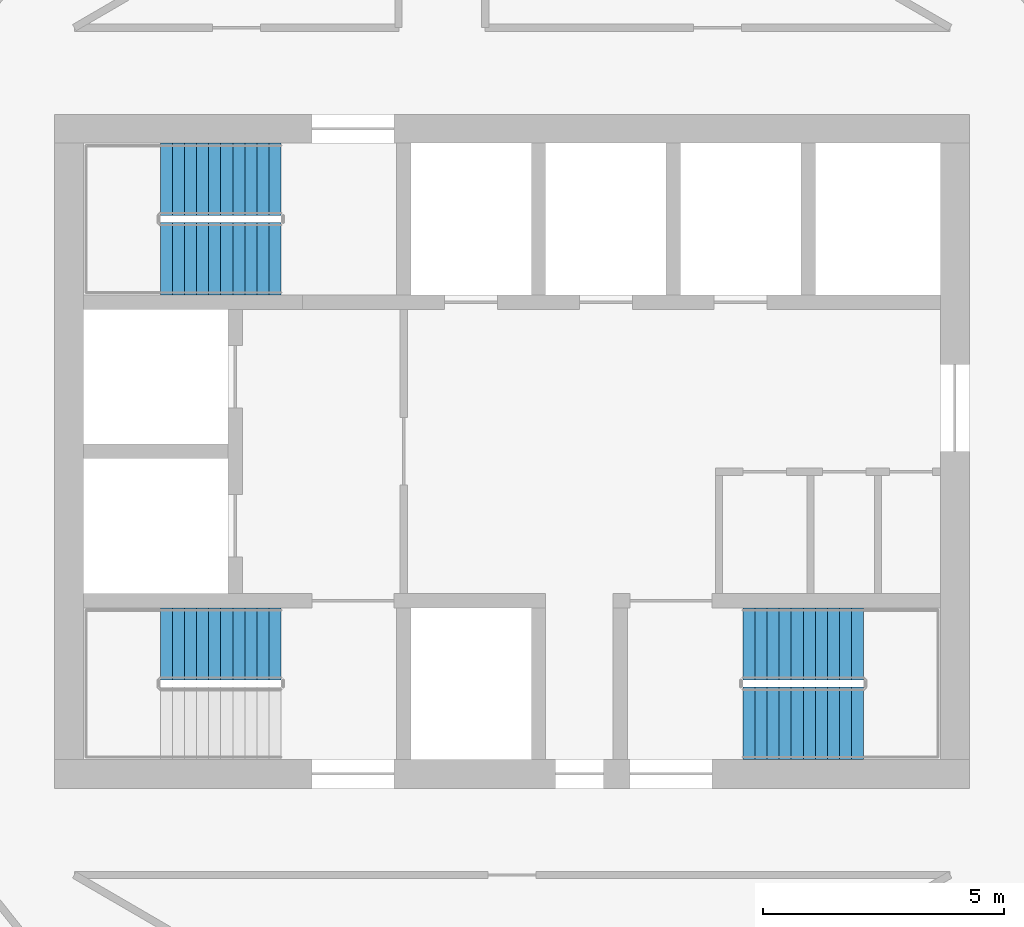
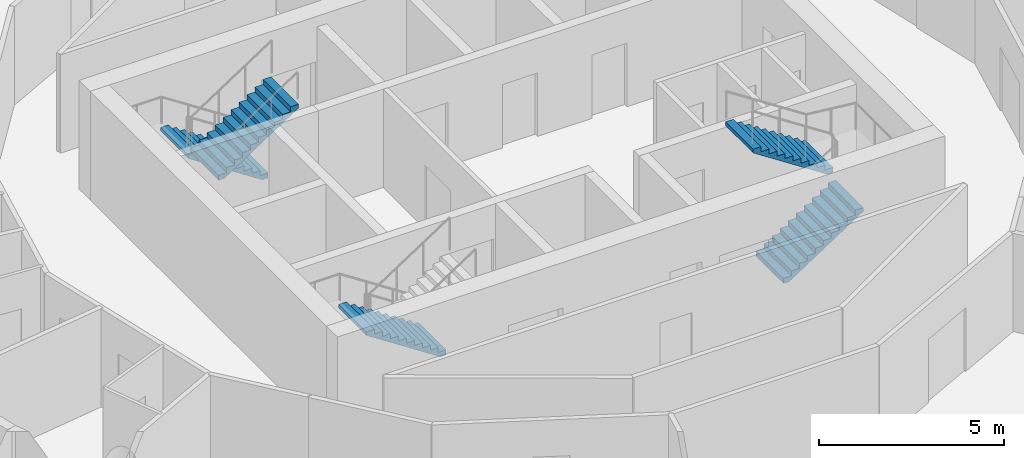
# One storey, part 11 of 12: 5 stair flights, 3 elements without a shape of their own.
"""IFC4 building model written with IfcOpenShell, lengths in metres."""

from ifc_helpers import new_model, si_unit, direction, frame, origin, place, context, subcontext, project, spatial, polyline, outline, extrude, material, type_object, element, aggregate, save


model = new_model("IFC4")

# Units and contexts
model_context = context("Model", 3, precision=1e-05, world=origin(), true_north=direction((0.0, 1.0)))
body_context = subcontext(model_context, "Body", "Model", "MODEL_VIEW")
ifc_project = project(units=[si_unit("LENGTHUNIT", "METRE"), si_unit("AREAUNIT", "SQUARE_METRE"), si_unit("VOLUMEUNIT", "CUBIC_METRE"), si_unit("PLANEANGLEUNIT", "RADIAN"), si_unit("MASSUNIT", "GRAM", prefix="KILO")], contexts=[model_context])

# Site, building, storey
site_placement = place(None, origin())
site = spatial("IfcSite", under=ifc_project, at=site_placement, CompositionType="ELEMENT")
building_placement = place(site_placement, origin())
building = spatial("IfcBuilding", under=site, at=building_placement, Name="Tracery Tower", CompositionType="ELEMENT")
storey_placement = place(building_placement, frame((0.0, 0.0, 245.39990234375)))
storey = spatial("IfcBuildingStorey", under=building, at=storey_placement, Name="L63", CompositionType="ELEMENT", Elevation=245.39990234375)

# Stair, stair flight
ifc_material_1 = material(Name="Concrete C32/40", Category="concrete")
stair_type = type_object("IfcStairType", Name="Core stair 22 risers", PredefinedType="HALF_TURN_STAIR", material=ifc_material_1)
stair_1_placement = place(storey_placement, origin())
stair_1 = element("IfcStair", 1, at=stair_1_placement, inside=storey, type_object=stair_type, Name="L63 stair ST1", PredefinedType="HALF_TURN_STAIR")
ifc_material_2 = material(Name="Concrete C32/40", Category="concrete")
stair_flight_type = type_object("IfcStairFlightType", Name="Core stair flight 11 risers", PredefinedType="STRAIGHT", material=ifc_material_2)
stair_flight_1_placement = place(storey_placement, frame((-4.800048828125, -4.0, 0.0), z_axis=(0.0, 0.0, 1.0), x_axis=(-1.0, 0.0, 0.0)))
stair_flight_1 = element("IfcStairFlight", 2, at=stair_flight_1_placement, type_object=stair_flight_type, Name="ST1 flight 1", NumberOfRisers=11, NumberOfTreads=10, PredefinedType="STRAIGHT", RiserHeight=0.163636364, TreadLength=0.25, context=body_context, shape_type="SweptSolid", body=[
    extrude(outline(polyline([(0.0, 0.0), (0.0, 0.002685546875), (0.0, 0.00537109375), (0.0, 0.008056640625), (0.0, 0.0107421875), (0.0, 0.013427734375), (0.0, 0.01611328125), (0.0, 0.018798828125), (0.0, 0.021484375), (0.0, 0.024169921875), (0.0, 0.02685546875), (0.0, 0.029541015625), (0.0, 0.0322265625), (0.0, 0.034912109375), (0.0, 0.03759765625), (0.0, 0.040283203125), (0.0, 0.04296875), (0.0, 0.045654296875), (0.0, 0.04833984375), (0.0, 0.051025390625), (0.0, 0.0537109375), (0.0, 0.056396484375), (0.0, 0.05908203125), (0.0, 0.061767578125), (0.0, 0.064453125), (0.0, 0.067138671875), (0.0, 0.06982421875), (0.0, 0.072509765625), (0.0, 0.0751953125), (0.0, 0.077880859375), (0.0, 0.08056640625), (0.0, 0.083251953125), (0.0, 0.0859375), (0.0, 0.088623046875), (0.0, 0.09130859375), (0.0, 0.093994140625), (0.0, 0.0966796875), (0.0, 0.099365234375), (0.0, 0.10205078125), (0.0, 0.104736328125), (0.0, 0.107421875), (0.0, 0.10986328125), (0.0, 0.112548828125), (0.0, 0.115234375), (0.0, 0.117919921875), (0.0, 0.12060546875), (0.0, 0.123291015625), (0.0, 0.1259765625), (0.0, 0.128662109375), (0.0, 0.13134765625), (0.0, 0.134033203125), (0.0, 0.13671875), (0.0, 0.139404296875), (0.0, 0.14208984375), (0.0, 0.144775390625), (0.0, 0.1474609375), (0.0, 0.150146484375), (0.0, 0.15283203125), (0.0, 0.155517578125), (0.0, 0.158203125), (0.0, 0.160888671875), (0.0, 0.16357421875), (0.25, 0.16357421875), (0.25, 0.327392578125), (0.5, 0.327392578125), (0.5, 0.490966796875), (0.75, 0.490966796875), (0.75, 0.654541015625), (1.0, 0.654541015625), (1.0, 0.818115234375), (1.25, 0.818115234375), (1.25, 0.98193359375), (1.5, 0.98193359375), (1.5, 1.1455078125), (1.75, 1.1455078125), (1.75, 1.30908203125), (2.0, 1.30908203125), (2.0, 1.47265625), (2.25, 1.47265625), (2.25, 1.636474609375), (2.5, 1.636474609375), (2.5, 1.634521484375), (2.5, 1.63232421875), (2.5, 1.63037109375), (2.5, 1.62841796875), (2.5, 1.62646484375), (2.5, 1.62451171875), (2.5, 1.62255859375), (2.5, 1.62060546875), (2.5, 1.61865234375), (2.5, 1.61669921875), (2.5, 1.61474609375), (2.5, 1.61279296875), (2.5, 1.61083984375), (2.5, 1.60888671875), (2.5, 1.60693359375), (2.5, 1.60498046875), (2.5, 1.60302734375), (2.5, 1.60107421875), (2.5, 1.59912109375), (2.5, 1.59716796875), (2.5, 1.59521484375), (2.5, 1.59326171875), (2.5, 1.59130859375), (2.5, 1.58935546875), (2.5, 1.58740234375), (2.5, 1.58544921875), (2.5, 1.58349609375), (2.5, 1.58154296875), (2.5, 1.57958984375), (2.5, 1.57763671875), (2.5, 1.57568359375), (2.5, 1.573486328125), (2.5, 1.571533203125), (2.5, 1.569580078125), (2.5, 1.567626953125), (2.5, 1.565673828125), (2.5, 1.563720703125), (2.5, 1.561767578125), (2.5, 1.559814453125), (2.5, 1.557861328125), (2.5, 1.555908203125), (2.5, 1.553955078125), (2.5, 1.552001953125), (2.5, 1.550048828125), (2.5, 1.548095703125), (2.5, 1.546142578125), (2.5, 1.544189453125), (2.5, 1.542236328125), (2.5, 1.540283203125), (2.5, 1.538330078125), (2.5, 1.536376953125), (2.5, 1.534423828125), (2.5, 1.532470703125), (2.5, 1.530517578125), (2.5, 1.528564453125), (2.5, 1.526611328125), (2.5, 1.524658203125), (2.5, 1.522705078125), (2.5, 1.520751953125), (2.5, 1.518798828125), (2.5, 1.516845703125), (0.182861328125, 0.0), (0.0, 0.0)])), frame((0.0, 0.75, 0.0), z_axis=(0.0, -1.0, 0.0), x_axis=(1.0, 0.0, 0.0)), (0.0, 0.0, 1.0), 1.5),
])
aggregate(stair_1, [stair_flight_1])

# Stair, stair flights
stair_2_placement = place(storey_placement, origin())
stair_2 = element("IfcStair", 3, at=stair_2_placement, inside=storey, type_object=stair_type, Name="L63 stair ST3", PredefinedType="HALF_TURN_STAIR")
stair_flight_2_placement = place(storey_placement, frame((-4.800048828125, 5.64990234375, 0.0), z_axis=(0.0, 0.0, 1.0), x_axis=(-1.0, 0.0, 0.0)))
stair_flight_2 = element("IfcStairFlight", 4, at=stair_flight_2_placement, type_object=stair_flight_type, Name="ST3 flight 1", NumberOfRisers=11, NumberOfTreads=10, PredefinedType="STRAIGHT", RiserHeight=0.163636364, TreadLength=0.25, context=body_context, shape_type="SweptSolid", body=[
    extrude(outline(polyline([(0.0, 0.0), (0.0, 0.002685546875), (0.0, 0.00537109375), (0.0, 0.008056640625), (0.0, 0.0107421875), (0.0, 0.013427734375), (0.0, 0.01611328125), (0.0, 0.018798828125), (0.0, 0.021484375), (0.0, 0.024169921875), (0.0, 0.02685546875), (0.0, 0.029541015625), (0.0, 0.0322265625), (0.0, 0.034912109375), (0.0, 0.03759765625), (0.0, 0.040283203125), (0.0, 0.04296875), (0.0, 0.045654296875), (0.0, 0.04833984375), (0.0, 0.051025390625), (0.0, 0.0537109375), (0.0, 0.056396484375), (0.0, 0.05908203125), (0.0, 0.061767578125), (0.0, 0.064453125), (0.0, 0.067138671875), (0.0, 0.06982421875), (0.0, 0.072509765625), (0.0, 0.0751953125), (0.0, 0.077880859375), (0.0, 0.08056640625), (0.0, 0.083251953125), (0.0, 0.0859375), (0.0, 0.088623046875), (0.0, 0.09130859375), (0.0, 0.093994140625), (0.0, 0.0966796875), (0.0, 0.099365234375), (0.0, 0.10205078125), (0.0, 0.104736328125), (0.0, 0.107421875), (0.0, 0.10986328125), (0.0, 0.112548828125), (0.0, 0.115234375), (0.0, 0.117919921875), (0.0, 0.12060546875), (0.0, 0.123291015625), (0.0, 0.1259765625), (0.0, 0.128662109375), (0.0, 0.13134765625), (0.0, 0.134033203125), (0.0, 0.13671875), (0.0, 0.139404296875), (0.0, 0.14208984375), (0.0, 0.144775390625), (0.0, 0.1474609375), (0.0, 0.150146484375), (0.0, 0.15283203125), (0.0, 0.155517578125), (0.0, 0.158203125), (0.0, 0.160888671875), (0.0, 0.16357421875), (0.25, 0.16357421875), (0.25, 0.327392578125), (0.5, 0.327392578125), (0.5, 0.490966796875), (0.75, 0.490966796875), (0.75, 0.654541015625), (1.0, 0.654541015625), (1.0, 0.818115234375), (1.25, 0.818115234375), (1.25, 0.98193359375), (1.5, 0.98193359375), (1.5, 1.1455078125), (1.75, 1.1455078125), (1.75, 1.30908203125), (2.0, 1.30908203125), (2.0, 1.47265625), (2.25, 1.47265625), (2.25, 1.636474609375), (2.5, 1.636474609375), (2.5, 1.634521484375), (2.5, 1.63232421875), (2.5, 1.63037109375), (2.5, 1.62841796875), (2.5, 1.62646484375), (2.5, 1.62451171875), (2.5, 1.62255859375), (2.5, 1.62060546875), (2.5, 1.61865234375), (2.5, 1.61669921875), (2.5, 1.61474609375), (2.5, 1.61279296875), (2.5, 1.61083984375), (2.5, 1.60888671875), (2.5, 1.60693359375), (2.5, 1.60498046875), (2.5, 1.60302734375), (2.5, 1.60107421875), (2.5, 1.59912109375), (2.5, 1.59716796875), (2.5, 1.59521484375), (2.5, 1.59326171875), (2.5, 1.59130859375), (2.5, 1.58935546875), (2.5, 1.58740234375), (2.5, 1.58544921875), (2.5, 1.58349609375), (2.5, 1.58154296875), (2.5, 1.57958984375), (2.5, 1.57763671875), (2.5, 1.57568359375), (2.5, 1.573486328125), (2.5, 1.571533203125), (2.5, 1.569580078125), (2.5, 1.567626953125), (2.5, 1.565673828125), (2.5, 1.563720703125), (2.5, 1.561767578125), (2.5, 1.559814453125), (2.5, 1.557861328125), (2.5, 1.555908203125), (2.5, 1.553955078125), (2.5, 1.552001953125), (2.5, 1.550048828125), (2.5, 1.548095703125), (2.5, 1.546142578125), (2.5, 1.544189453125), (2.5, 1.542236328125), (2.5, 1.540283203125), (2.5, 1.538330078125), (2.5, 1.536376953125), (2.5, 1.534423828125), (2.5, 1.532470703125), (2.5, 1.530517578125), (2.5, 1.528564453125), (2.5, 1.526611328125), (2.5, 1.524658203125), (2.5, 1.522705078125), (2.5, 1.520751953125), (2.5, 1.518798828125), (2.5, 1.516845703125), (0.182861328125, 0.0), (0.0, 0.0)])), frame((0.0, 0.75, 0.0), z_axis=(0.0, -1.0, 0.0), x_axis=(1.0, 0.0, 0.0)), (0.0, 0.0, 1.0), 1.5),
])
stair_flight_3_placement = place(storey_placement, frame((-7.300048828125, 4.0, 1.800048828125), z_axis=(0.0, 0.0, 1.0), x_axis=(1.0, 0.0, 0.0)))
stair_flight_3 = element("IfcStairFlight", 5, at=stair_flight_3_placement, type_object=stair_flight_type, Name="ST3 flight 2", NumberOfRisers=11, NumberOfTreads=10, PredefinedType="STRAIGHT", RiserHeight=0.163636364, TreadLength=0.25, context=body_context, shape_type="SweptSolid", body=[
    extrude(outline(polyline([(0.0, 0.0), (0.0, 0.002685546875), (0.0, 0.00537109375), (0.0, 0.008056640625), (0.0, 0.0107421875), (0.0, 0.013427734375), (0.0, 0.01611328125), (0.0, 0.018798828125), (0.0, 0.021484375), (0.0, 0.024169921875), (0.0, 0.02685546875), (0.0, 0.029541015625), (0.0, 0.0322265625), (0.0, 0.034912109375), (0.0, 0.03759765625), (0.0, 0.040283203125), (0.0, 0.04296875), (0.0, 0.045654296875), (0.0, 0.04833984375), (0.0, 0.051025390625), (0.0, 0.0537109375), (0.0, 0.056396484375), (0.0, 0.05908203125), (0.0, 0.061767578125), (0.0, 0.064453125), (0.0, 0.067138671875), (0.0, 0.06982421875), (0.0, 0.072509765625), (0.0, 0.0751953125), (0.0, 0.077880859375), (0.0, 0.08056640625), (0.0, 0.083251953125), (0.0, 0.0859375), (0.0, 0.088623046875), (0.0, 0.09130859375), (0.0, 0.093994140625), (0.0, 0.0966796875), (0.0, 0.099365234375), (0.0, 0.10205078125), (0.0, 0.104736328125), (0.0, 0.107421875), (0.0, 0.10986328125), (0.0, 0.112548828125), (0.0, 0.115234375), (0.0, 0.117919921875), (0.0, 0.12060546875), (0.0, 0.123291015625), (0.0, 0.1259765625), (0.0, 0.128662109375), (0.0, 0.13134765625), (0.0, 0.134033203125), (0.0, 0.13671875), (0.0, 0.139404296875), (0.0, 0.14208984375), (0.0, 0.144775390625), (0.0, 0.1474609375), (0.0, 0.150146484375), (0.0, 0.15283203125), (0.0, 0.155517578125), (0.0, 0.158203125), (0.0, 0.160888671875), (0.0, 0.16357421875), (0.25, 0.16357421875), (0.25, 0.327392578125), (0.5, 0.327392578125), (0.5, 0.490966796875), (0.75, 0.490966796875), (0.75, 0.654541015625), (1.0, 0.654541015625), (1.0, 0.818115234375), (1.25, 0.818115234375), (1.25, 0.98193359375), (1.5, 0.98193359375), (1.5, 1.1455078125), (1.75, 1.1455078125), (1.75, 1.30908203125), (2.0, 1.30908203125), (2.0, 1.47265625), (2.25, 1.47265625), (2.25, 1.636474609375), (2.5, 1.636474609375), (2.5, 1.634521484375), (2.5, 1.63232421875), (2.5, 1.63037109375), (2.5, 1.62841796875), (2.5, 1.62646484375), (2.5, 1.62451171875), (2.5, 1.62255859375), (2.5, 1.62060546875), (2.5, 1.61865234375), (2.5, 1.61669921875), (2.5, 1.61474609375), (2.5, 1.61279296875), (2.5, 1.61083984375), (2.5, 1.60888671875), (2.5, 1.60693359375), (2.5, 1.60498046875), (2.5, 1.60302734375), (2.5, 1.60107421875), (2.5, 1.59912109375), (2.5, 1.59716796875), (2.5, 1.59521484375), (2.5, 1.59326171875), (2.5, 1.59130859375), (2.5, 1.58935546875), (2.5, 1.58740234375), (2.5, 1.58544921875), (2.5, 1.58349609375), (2.5, 1.58154296875), (2.5, 1.57958984375), (2.5, 1.57763671875), (2.5, 1.57568359375), (2.5, 1.573486328125), (2.5, 1.571533203125), (2.5, 1.569580078125), (2.5, 1.567626953125), (2.5, 1.565673828125), (2.5, 1.563720703125), (2.5, 1.561767578125), (2.5, 1.559814453125), (2.5, 1.557861328125), (2.5, 1.555908203125), (2.5, 1.553955078125), (2.5, 1.552001953125), (2.5, 1.550048828125), (2.5, 1.548095703125), (2.5, 1.546142578125), (2.5, 1.544189453125), (2.5, 1.542236328125), (2.5, 1.540283203125), (2.5, 1.538330078125), (2.5, 1.536376953125), (2.5, 1.534423828125), (2.5, 1.532470703125), (2.5, 1.530517578125), (2.5, 1.528564453125), (2.5, 1.526611328125), (2.5, 1.524658203125), (2.5, 1.522705078125), (2.5, 1.520751953125), (2.5, 1.518798828125), (2.5, 1.516845703125), (0.182861328125, 0.0), (0.0, 0.0)])), frame((0.0, 0.75, 0.0), z_axis=(0.0, -1.0, 0.0), x_axis=(1.0, 0.0, 0.0)), (0.0, 0.0, 1.0), 1.5),
])
aggregate(stair_2, [stair_flight_2, stair_flight_3])

stair_3_placement = place(storey_placement, origin())
stair_3 = element("IfcStair", 6, at=stair_3_placement, inside=storey, type_object=stair_type, Name="L63 stair ST2", PredefinedType="HALF_TURN_STAIR")
stair_flight_4_placement = place(storey_placement, frame((4.800048828125, -5.64990234375, 0.0), z_axis=(0.0, 0.0, 1.0), x_axis=(1.0, 0.0, 0.0)))
stair_flight_4 = element("IfcStairFlight", 7, at=stair_flight_4_placement, type_object=stair_flight_type, Name="ST2 flight 1", NumberOfRisers=11, NumberOfTreads=10, PredefinedType="STRAIGHT", RiserHeight=0.163636364, TreadLength=0.25, context=body_context, shape_type="SweptSolid", body=[
    extrude(outline(polyline([(0.0, 0.0), (0.0, 0.002685546875), (0.0, 0.00537109375), (0.0, 0.008056640625), (0.0, 0.0107421875), (0.0, 0.013427734375), (0.0, 0.01611328125), (0.0, 0.018798828125), (0.0, 0.021484375), (0.0, 0.024169921875), (0.0, 0.02685546875), (0.0, 0.029541015625), (0.0, 0.0322265625), (0.0, 0.034912109375), (0.0, 0.03759765625), (0.0, 0.040283203125), (0.0, 0.04296875), (0.0, 0.045654296875), (0.0, 0.04833984375), (0.0, 0.051025390625), (0.0, 0.0537109375), (0.0, 0.056396484375), (0.0, 0.05908203125), (0.0, 0.061767578125), (0.0, 0.064453125), (0.0, 0.067138671875), (0.0, 0.06982421875), (0.0, 0.072509765625), (0.0, 0.0751953125), (0.0, 0.077880859375), (0.0, 0.08056640625), (0.0, 0.083251953125), (0.0, 0.0859375), (0.0, 0.088623046875), (0.0, 0.09130859375), (0.0, 0.093994140625), (0.0, 0.0966796875), (0.0, 0.099365234375), (0.0, 0.10205078125), (0.0, 0.104736328125), (0.0, 0.107421875), (0.0, 0.10986328125), (0.0, 0.112548828125), (0.0, 0.115234375), (0.0, 0.117919921875), (0.0, 0.12060546875), (0.0, 0.123291015625), (0.0, 0.1259765625), (0.0, 0.128662109375), (0.0, 0.13134765625), (0.0, 0.134033203125), (0.0, 0.13671875), (0.0, 0.139404296875), (0.0, 0.14208984375), (0.0, 0.144775390625), (0.0, 0.1474609375), (0.0, 0.150146484375), (0.0, 0.15283203125), (0.0, 0.155517578125), (0.0, 0.158203125), (0.0, 0.160888671875), (0.0, 0.16357421875), (0.25, 0.16357421875), (0.25, 0.327392578125), (0.5, 0.327392578125), (0.5, 0.490966796875), (0.75, 0.490966796875), (0.75, 0.654541015625), (1.0, 0.654541015625), (1.0, 0.818115234375), (1.25, 0.818115234375), (1.25, 0.98193359375), (1.5, 0.98193359375), (1.5, 1.1455078125), (1.75, 1.1455078125), (1.75, 1.30908203125), (2.0, 1.30908203125), (2.0, 1.47265625), (2.25, 1.47265625), (2.25, 1.636474609375), (2.5, 1.636474609375), (2.5, 1.634521484375), (2.5, 1.63232421875), (2.5, 1.63037109375), (2.5, 1.62841796875), (2.5, 1.62646484375), (2.5, 1.62451171875), (2.5, 1.62255859375), (2.5, 1.62060546875), (2.5, 1.61865234375), (2.5, 1.61669921875), (2.5, 1.61474609375), (2.5, 1.61279296875), (2.5, 1.61083984375), (2.5, 1.60888671875), (2.5, 1.60693359375), (2.5, 1.60498046875), (2.5, 1.60302734375), (2.5, 1.60107421875), (2.5, 1.59912109375), (2.5, 1.59716796875), (2.5, 1.59521484375), (2.5, 1.59326171875), (2.5, 1.59130859375), (2.5, 1.58935546875), (2.5, 1.58740234375), (2.5, 1.58544921875), (2.5, 1.58349609375), (2.5, 1.58154296875), (2.5, 1.57958984375), (2.5, 1.57763671875), (2.5, 1.57568359375), (2.5, 1.573486328125), (2.5, 1.571533203125), (2.5, 1.569580078125), (2.5, 1.567626953125), (2.5, 1.565673828125), (2.5, 1.563720703125), (2.5, 1.561767578125), (2.5, 1.559814453125), (2.5, 1.557861328125), (2.5, 1.555908203125), (2.5, 1.553955078125), (2.5, 1.552001953125), (2.5, 1.550048828125), (2.5, 1.548095703125), (2.5, 1.546142578125), (2.5, 1.544189453125), (2.5, 1.542236328125), (2.5, 1.540283203125), (2.5, 1.538330078125), (2.5, 1.536376953125), (2.5, 1.534423828125), (2.5, 1.532470703125), (2.5, 1.530517578125), (2.5, 1.528564453125), (2.5, 1.526611328125), (2.5, 1.524658203125), (2.5, 1.522705078125), (2.5, 1.520751953125), (2.5, 1.518798828125), (2.5, 1.516845703125), (0.182861328125, 0.0), (0.0, 0.0)])), frame((0.0, 0.75, 0.0), z_axis=(0.0, -1.0, 0.0), x_axis=(1.0, 0.0, 0.0)), (0.0, 0.0, 1.0), 1.5),
])
stair_flight_5_placement = place(storey_placement, frame((7.300048828125, -4.0, 1.800048828125), z_axis=(0.0, 0.0, 1.0), x_axis=(-1.0, 0.0, 0.0)))
stair_flight_5 = element("IfcStairFlight", 8, at=stair_flight_5_placement, type_object=stair_flight_type, Name="ST2 flight 2", NumberOfRisers=11, NumberOfTreads=10, PredefinedType="STRAIGHT", RiserHeight=0.163636364, TreadLength=0.25, context=body_context, shape_type="SweptSolid", body=[
    extrude(outline(polyline([(0.0, 0.0), (0.0, 0.002685546875), (0.0, 0.00537109375), (0.0, 0.008056640625), (0.0, 0.0107421875), (0.0, 0.013427734375), (0.0, 0.01611328125), (0.0, 0.018798828125), (0.0, 0.021484375), (0.0, 0.024169921875), (0.0, 0.02685546875), (0.0, 0.029541015625), (0.0, 0.0322265625), (0.0, 0.034912109375), (0.0, 0.03759765625), (0.0, 0.040283203125), (0.0, 0.04296875), (0.0, 0.045654296875), (0.0, 0.04833984375), (0.0, 0.051025390625), (0.0, 0.0537109375), (0.0, 0.056396484375), (0.0, 0.05908203125), (0.0, 0.061767578125), (0.0, 0.064453125), (0.0, 0.067138671875), (0.0, 0.06982421875), (0.0, 0.072509765625), (0.0, 0.0751953125), (0.0, 0.077880859375), (0.0, 0.08056640625), (0.0, 0.083251953125), (0.0, 0.0859375), (0.0, 0.088623046875), (0.0, 0.09130859375), (0.0, 0.093994140625), (0.0, 0.0966796875), (0.0, 0.099365234375), (0.0, 0.10205078125), (0.0, 0.104736328125), (0.0, 0.107421875), (0.0, 0.10986328125), (0.0, 0.112548828125), (0.0, 0.115234375), (0.0, 0.117919921875), (0.0, 0.12060546875), (0.0, 0.123291015625), (0.0, 0.1259765625), (0.0, 0.128662109375), (0.0, 0.13134765625), (0.0, 0.134033203125), (0.0, 0.13671875), (0.0, 0.139404296875), (0.0, 0.14208984375), (0.0, 0.144775390625), (0.0, 0.1474609375), (0.0, 0.150146484375), (0.0, 0.15283203125), (0.0, 0.155517578125), (0.0, 0.158203125), (0.0, 0.160888671875), (0.0, 0.16357421875), (0.25, 0.16357421875), (0.25, 0.327392578125), (0.5, 0.327392578125), (0.5, 0.490966796875), (0.75, 0.490966796875), (0.75, 0.654541015625), (1.0, 0.654541015625), (1.0, 0.818115234375), (1.25, 0.818115234375), (1.25, 0.98193359375), (1.5, 0.98193359375), (1.5, 1.1455078125), (1.75, 1.1455078125), (1.75, 1.30908203125), (2.0, 1.30908203125), (2.0, 1.47265625), (2.25, 1.47265625), (2.25, 1.636474609375), (2.5, 1.636474609375), (2.5, 1.634521484375), (2.5, 1.63232421875), (2.5, 1.63037109375), (2.5, 1.62841796875), (2.5, 1.62646484375), (2.5, 1.62451171875), (2.5, 1.62255859375), (2.5, 1.62060546875), (2.5, 1.61865234375), (2.5, 1.61669921875), (2.5, 1.61474609375), (2.5, 1.61279296875), (2.5, 1.61083984375), (2.5, 1.60888671875), (2.5, 1.60693359375), (2.5, 1.60498046875), (2.5, 1.60302734375), (2.5, 1.60107421875), (2.5, 1.59912109375), (2.5, 1.59716796875), (2.5, 1.59521484375), (2.5, 1.59326171875), (2.5, 1.59130859375), (2.5, 1.58935546875), (2.5, 1.58740234375), (2.5, 1.58544921875), (2.5, 1.58349609375), (2.5, 1.58154296875), (2.5, 1.57958984375), (2.5, 1.57763671875), (2.5, 1.57568359375), (2.5, 1.573486328125), (2.5, 1.571533203125), (2.5, 1.569580078125), (2.5, 1.567626953125), (2.5, 1.565673828125), (2.5, 1.563720703125), (2.5, 1.561767578125), (2.5, 1.559814453125), (2.5, 1.557861328125), (2.5, 1.555908203125), (2.5, 1.553955078125), (2.5, 1.552001953125), (2.5, 1.550048828125), (2.5, 1.548095703125), (2.5, 1.546142578125), (2.5, 1.544189453125), (2.5, 1.542236328125), (2.5, 1.540283203125), (2.5, 1.538330078125), (2.5, 1.536376953125), (2.5, 1.534423828125), (2.5, 1.532470703125), (2.5, 1.530517578125), (2.5, 1.528564453125), (2.5, 1.526611328125), (2.5, 1.524658203125), (2.5, 1.522705078125), (2.5, 1.520751953125), (2.5, 1.518798828125), (2.5, 1.516845703125), (0.182861328125, 0.0), (0.0, 0.0)])), frame((0.0, 0.75, 0.0), z_axis=(0.0, -1.0, 0.0), x_axis=(1.0, 0.0, 0.0)), (0.0, 0.0, 1.0), 1.5),
])
aggregate(stair_3, [stair_flight_4, stair_flight_5])

save(model, "model.ifc")
